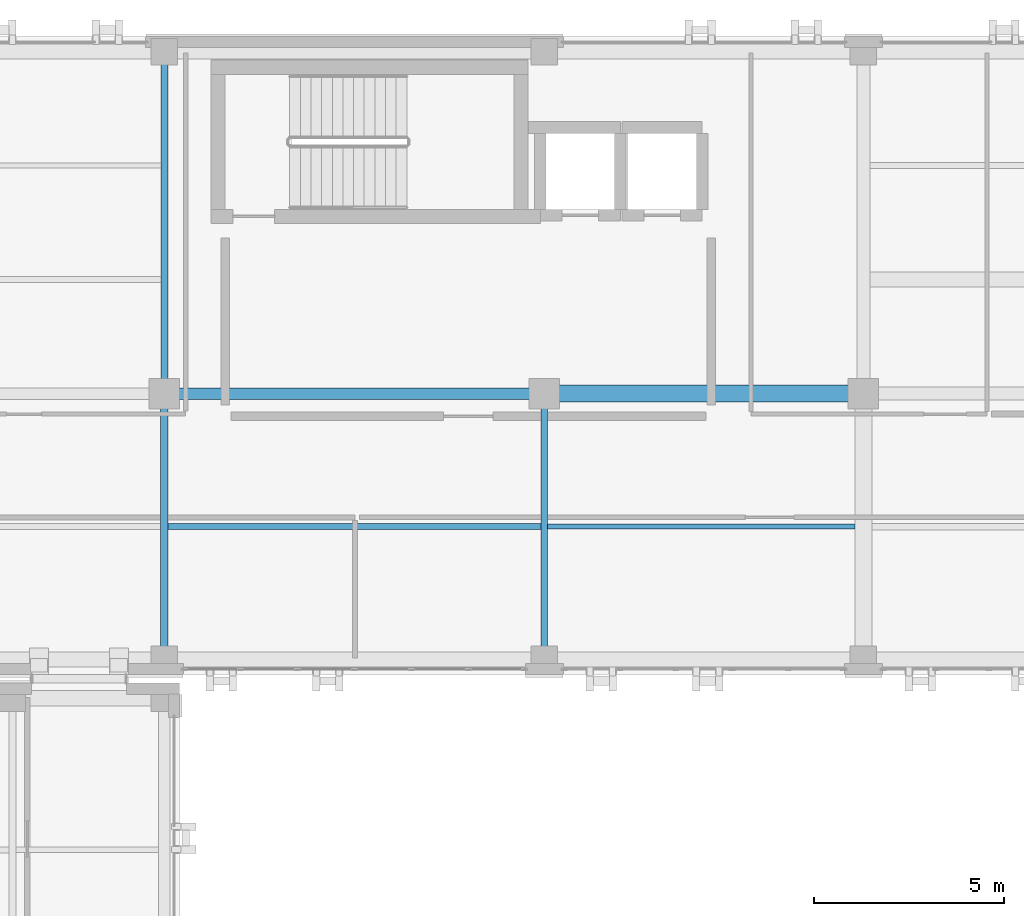
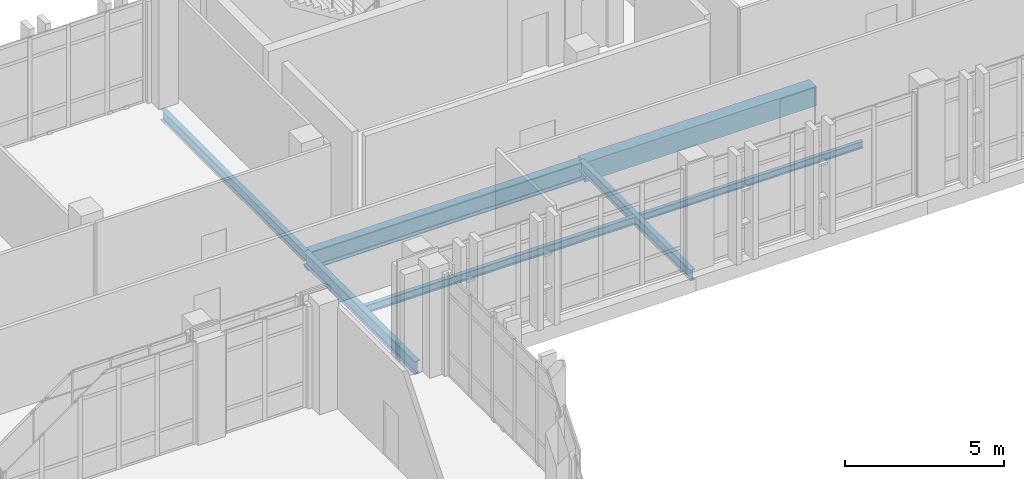
# One storey, part 89 of 165: 7 beams.
"""IFC4 building model written with IfcOpenShell, lengths in metres."""

import ifcopenshell
import ifcopenshell.guid

model = None  # the IFC model being written
_history = None  # IfcOwnerHistory: only IFC2X3 demands one
_inside = {}  # id of a spatial element -> (the spatial element, [elements in it])
_under = {}  # id of a project, library or spatial element -> (it, [spatial elements below it])
_declared = {}  # id of a project -> (the project, [libraries it declares])
_typed = {}  # id of a type object -> (the type object, [elements of that type])
_made_of = {}  # id of a material, layer set ... -> (it, [elements and type objects made of it])


def new_model(schema):
    """Start an empty IFC model of exactly this schema.

    Asked for "IFC4X3", IfcOpenShell would pick the latest addendum, in which some entities
    have other attributes; the version numbers below select the first issue.
    IFC2X3 requires an IfcOwnerHistory on every rooted entity: one is made here for all.
    """
    global model, _history
    if schema == "IFC4X3":
        model = ifcopenshell.file(schema_version=(4, 3, 0, 0))
    else:
        model = ifcopenshell.file(schema=schema)
    _inside.clear()
    _under.clear()
    _declared.clear()
    _typed.clear()
    _made_of.clear()
    _history = None
    if model.schema == "IFC2X3":
        org = make("IfcOrganization", Name="unknown")
        user = make(
            "IfcPersonAndOrganization",
            ThePerson=make("IfcPerson", FamilyName="unknown"),
            TheOrganization=org,
        )
        app = make(
            "IfcApplication",
            ApplicationDeveloper=org,
            Version="unknown",
            ApplicationFullName="unknown",
            ApplicationIdentifier="unknown",
        )
        _history = make(
            "IfcOwnerHistory",
            OwningUser=user,
            OwningApplication=app,
            ChangeAction="ADDED",
            CreationDate=0,
        )
    return model


def make(cls, **values):
    """One entity of the class cls with the attributes given. An attribute that is None is left unset."""
    return model.create_entity(
        cls, **{name: value for name, value in values.items() if value is not None}
    )


def rooted(cls, **values):
    """An entity with a GlobalId (a new one), such as an element, a storey or a relation."""
    return make(cls, GlobalId=ifcopenshell.guid.new(), OwnerHistory=_history, **values)


def si_unit(unit_type, name, prefix=None):
    """IfcSIUnit, for example si_unit("LENGTHUNIT", "METRE", prefix="MILLI")."""
    return make("IfcSIUnit", UnitType=unit_type, Prefix=prefix, Name=name)


def assignment(units):
    """IfcUnitAssignment: the units of a project."""
    return None if units is None else make("IfcUnitAssignment", Units=units)


def point(xyz):
    """IfcCartesianPoint."""
    return None if xyz is None else make("IfcCartesianPoint", Coordinates=xyz)


def direction(xyz):
    """IfcDirection."""
    return None if xyz is None else make("IfcDirection", DirectionRatios=xyz)


def frame(location, z_axis=None, x_axis=None):
    """IfcAxis2Placement3D, a coordinate frame: its origin and axes. An axis left out is left unset."""
    return make(
        "IfcAxis2Placement3D",
        Location=point(location),
        Axis=direction(z_axis),
        RefDirection=direction(x_axis),
    )


def frame_2d(location, x_axis=None):
    """IfcAxis2Placement2D, a coordinate frame in the plane: its origin and x axis."""
    return make(
        "IfcAxis2Placement2D", Location=point(location), RefDirection=direction(x_axis)
    )


def origin():
    """The frame at (0, 0, 0) with its axes left unset."""
    return frame((0.0, 0.0, 0.0))


def origin_2d():
    """The frame at (0, 0) in the plane with its x axis left unset."""
    return frame_2d((0.0, 0.0))


def place(relative_to, where):
    """IfcLocalPlacement: puts the frame where relative to a parent placement (None: the world)."""
    return make(
        "IfcLocalPlacement", PlacementRelTo=relative_to, RelativePlacement=where
    )


def context(
    kind, dimensions, precision=None, world=None, true_north=None, identifier=None
):
    """IfcGeometricRepresentationContext, for example the 3D "Model" context."""
    return make(
        "IfcGeometricRepresentationContext",
        ContextIdentifier=identifier,
        ContextType=kind,
        CoordinateSpaceDimension=dimensions,
        Precision=precision,
        WorldCoordinateSystem=world,
        TrueNorth=true_north,
    )


def subcontext(parent, identifier, kind, view, scale=None):
    """IfcGeometricRepresentationSubContext, for example "Body" below "Model"."""
    return make(
        "IfcGeometricRepresentationSubContext",
        ContextIdentifier=identifier,
        ContextType=kind,
        ParentContext=parent,
        TargetScale=scale,
        TargetView=view,
    )


def project(units=None, contexts=None):
    """IfcProject with its units and contexts."""
    return rooted(
        "IfcProject",
        Name="project",
        RepresentationContexts=contexts,
        UnitsInContext=assignment(units),
    )


def spatial(cls, under=None, at=None, **own):
    """A site, building, storey or space (cls), placed at a placement, below another one or the project."""
    s = rooted(cls, ObjectPlacement=at, **own)
    if under is not None:
        _under.setdefault(under.id(), (under, []))[1].append(s)
    return s


def profile(cls, at=None, kind="AREA", **sizes):
    """A parametric profile (cls). Its sizes go by their IFC names, for example OverallWidth=200.0."""
    return make(cls, ProfileType=kind, Position=at, **sizes)


def rectangle(**sizes):
    """IfcRectangleProfileDef."""
    return profile("IfcRectangleProfileDef", **sizes)


def i_section(**sizes):
    """IfcIShapeProfileDef."""
    return profile("IfcIShapeProfileDef", **sizes)


def extrude(swept, where, along, depth):
    """IfcExtrudedAreaSolid: the profile swept, set in the frame where, extruded along a direction by depth."""
    return make(
        "IfcExtrudedAreaSolid",
        SweptArea=swept,
        Position=where,
        ExtrudedDirection=direction(along),
        Depth=depth,
    )


def shape(context_of_items, identifier, shape_type, items):
    """IfcShapeRepresentation: the items that make up one representation, for example the "Body"."""
    return make(
        "IfcShapeRepresentation",
        ContextOfItems=context_of_items,
        RepresentationIdentifier=identifier,
        RepresentationType=shape_type,
        Items=items,
    )


def material(Name=None, Category=None):
    """IfcMaterial."""
    return make("IfcMaterial", Name=Name, Category=Category)


def material_profile(
    of_material, cross_section, Name=None, Category=None, Priority=None
):
    """IfcMaterialProfile: a cross section and its material."""
    return make(
        "IfcMaterialProfile",
        Name=Name,
        Material=of_material,
        Profile=cross_section,
        Priority=Priority,
        Category=Category,
    )


def profile_set(profiles, Name=None, composite=None):
    """IfcMaterialProfileSet."""
    return make(
        "IfcMaterialProfileSet",
        Name=Name,
        MaterialProfiles=profiles,
        CompositeProfile=composite,
    )


def made_of(thing, what):
    """Note that an element or type object is made of a material, layer set ...; save() writes the relation."""
    if what is not None:
        _made_of.setdefault(what.id(), (what, []))[1].append(thing)
    return thing


def type_object(cls, material=None, **own):
    """A type object (cls), such as IfcWallType, which elements share."""
    return made_of(rooted(cls, **own), material)


def element(
    cls,
    number,
    at=None,
    inside=None,
    cuts=None,
    type_object=None,
    material=None,
    context=None,
    identifier="Body",
    shape_type=None,
    held_by="IfcProductDefinitionShape",
    body=None,
    shapes=None,
    **own,
):
    """One element of the class cls, such as IfcWall. Its Tag is "e" and its number.

    at: its placement. inside: the storey or other place that contains it. cuts: it is an
    opening in that element (IfcRelVoidsElement). A single representation is given by context,
    identifier, shape_type and body (its items); several are given by shapes. held_by: the class
    of the entity that holds the representations. save() writes the other relations.
    """
    e = rooted(cls, Tag="e%d" % number, ObjectPlacement=at, **own)
    if body is not None:
        shapes = [shape(context, identifier, shape_type, body)]
    if shapes is not None:
        e.Representation = make(held_by, Representations=shapes)
    if inside is not None:
        _inside.setdefault(inside.id(), (inside, []))[1].append(e)
    if cuts is not None:
        rooted(
            "IfcRelVoidsElement", RelatingBuildingElement=cuts, RelatedOpeningElement=e
        )
    if type_object is not None:
        _typed.setdefault(type_object.id(), (type_object, []))[1].append(e)
    return made_of(e, material)


def aggregate(whole, parts):
    """IfcRelAggregates: a whole, such as a stair, and the parts it consists of."""
    return rooted("IfcRelAggregates", RelatingObject=whole, RelatedObjects=parts)


def save(model, path):
    """Write the relations noted so far, then the file.

    IfcRelAggregates (storeys below a building ...), IfcRelContainedInSpatialStructure (elements
    in a storey), IfcRelDefinesByType, IfcRelAssociatesMaterial and IfcRelDeclares: one each for
    every whole, place, type object, material and project.
    """
    for whole, parts in _under.values():
        aggregate(whole, parts)
    for where, things in _inside.values():
        rooted(
            "IfcRelContainedInSpatialStructure",
            RelatedElements=things,
            RelatingStructure=where,
        )
    for kind, things in _typed.values():
        rooted("IfcRelDefinesByType", RelatedObjects=things, RelatingType=kind)
    for what, things in _made_of.values():
        rooted("IfcRelAssociatesMaterial", RelatedObjects=things, RelatingMaterial=what)
    for by, libraries in _declared.values():
        rooted("IfcRelDeclares", RelatingContext=by, RelatedDefinitions=libraries)
    model.write(path)


model = new_model("IFC4")

# Units and contexts
model_context = context("Model", 3, precision=1e-05, world=origin(), true_north=direction((0.0, 1.0)))
body_context = subcontext(model_context, "Body", "Model", "MODEL_VIEW")
ifc_project = project(units=[si_unit("LENGTHUNIT", "METRE"), si_unit("AREAUNIT", "SQUARE_METRE"), si_unit("VOLUMEUNIT", "CUBIC_METRE"), si_unit("PLANEANGLEUNIT", "RADIAN"), si_unit("MASSUNIT", "GRAM", prefix="KILO")], contexts=[model_context])

# Site, building, storey
site_placement = place(None, origin())
site = spatial("IfcSite", under=ifc_project, at=site_placement, CompositionType="ELEMENT")
building_placement = place(site_placement, origin())
building = spatial("IfcBuilding", under=site, at=building_placement, Name="Qalavern Law Courts", CompositionType="ELEMENT")
storey_placement = place(building_placement, frame((0.0, 0.0, 14.39990234375)))
storey = spatial("IfcBuildingStorey", under=building, at=storey_placement, Name="L03", CompositionType="ELEMENT", Elevation=14.39990234375)

# Beams
ifc_material_1 = material(Name="Steel S355", Category="steel")
ifc_material_profile_1 = material_profile(ifc_material_1, i_section(OverallWidth=0.300048828125, OverallDepth=0.699951171875, WebThickness=0.01708984375, FlangeThickness=0.031982421875, FilletRadius=0.027099609375, at=origin_2d()), Name="HEB 700")
ifc_profile_set_1 = profile_set([ifc_material_profile_1], Name="Steel S355")
beam_type_1 = type_object("IfcBeamType", Name="STR-BM-HEB700", PredefinedType="BEAM", material=ifc_profile_set_1)
beam_1_placement = place(storey_placement, frame((18.39990234375, 103.60009765625, -0.635009765625), z_axis=(1.0, 0.0, 0.0), x_axis=(0.0, 1.0, 0.0)))
element("IfcBeam", 1, at=beam_1_placement, inside=storey, type_object=beam_type_1, Name="V5 X-beam 2-3 L03", PredefinedType="BEAM", context=body_context, shape_type="SweptSolid", body=[
    extrude(i_section(OverallWidth=0.300048828125, OverallDepth=0.699951171875, WebThickness=0.01708984375, FlangeThickness=0.031982421875, FilletRadius=0.027099609375, at=origin_2d()), origin(), (0.0, 0.0, 1.0), 10.0),
])
ifc_material_profile_2 = material_profile(ifc_material_1, i_section(OverallWidth=0.179931640625, OverallDepth=0.39990234375, WebThickness=0.008544921875, FlangeThickness=0.013427734375, FilletRadius=0.02099609375, at=origin_2d()), Name="IPE 400")
ifc_profile_set_2 = profile_set([ifc_material_profile_2], Name="Steel S355")
beam_type_2 = type_object("IfcBeamType", Name="STR-BM-IPE400", PredefinedType="BEAM", material=ifc_profile_set_2)
beam_2_placement = place(storey_placement, frame((18.39990234375, 103.60009765625, -0.48486328125), z_axis=(0.0, 1.0, 0.0), x_axis=(-1.0, 0.0, 0.0)))
element("IfcBeam", 2, at=beam_2_placement, inside=storey, type_object=beam_type_2, Name="V5 Y-beam 3-2 L03", PredefinedType="BEAM", context=body_context, shape_type="SweptSolid", body=[
    extrude(i_section(OverallWidth=0.179931640625, OverallDepth=0.39990234375, WebThickness=0.008544921875, FlangeThickness=0.013427734375, FilletRadius=0.02099609375, at=origin_2d()), origin(), (0.0, 0.0, 1.0), 9.0),
])
beam_3_placement = place(storey_placement, frame((28.39990234375, 96.60009765625, -0.48486328125), z_axis=(0.0, 1.0, 0.0), x_axis=(-1.0, 0.0, 0.0)))
element("IfcBeam", 3, at=beam_3_placement, inside=storey, type_object=beam_type_2, Name="V5 Y-beam 4-1 L03", PredefinedType="BEAM", context=body_context, shape_type="SweptSolid", body=[
    extrude(i_section(OverallWidth=0.179931640625, OverallDepth=0.39990234375, WebThickness=0.008544921875, FlangeThickness=0.013427734375, FilletRadius=0.02099609375, at=origin_2d()), origin(), (0.0, 0.0, 1.0), 7.0),
])
ifc_material_profile_3 = material_profile(ifc_material_1, i_section(OverallWidth=0.199951171875, OverallDepth=0.5, WebThickness=0.01025390625, FlangeThickness=0.01611328125, FilletRadius=0.02099609375, at=origin_2d()), Name="IPE 500")
ifc_profile_set_3 = profile_set([ifc_material_profile_3], Name="Steel S355")
beam_type_3 = type_object("IfcBeamType", Name="STR-BM-IPE500", PredefinedType="BEAM", material=ifc_profile_set_3)
beam_4_placement = place(storey_placement, frame((18.39990234375, 96.60009765625, -0.534912109375), z_axis=(0.0, 1.0, 0.0), x_axis=(-1.0, 0.0, 0.0)))
element("IfcBeam", 4, at=beam_4_placement, inside=storey, type_object=beam_type_3, Name="V5 Y-beam 3-1 L03", PredefinedType="BEAM", context=body_context, shape_type="SweptSolid", body=[
    extrude(i_section(OverallWidth=0.199951171875, OverallDepth=0.5, WebThickness=0.01025390625, FlangeThickness=0.01611328125, FilletRadius=0.02099609375, at=origin_2d()), origin(), (0.0, 0.0, 1.0), 7.0),
])
ifc_material_2 = material(Name="Concrete C40/50", Category="concrete")
ifc_material_profile_4 = material_profile(ifc_material_2, rectangle(XDim=0.449951171875, YDim=0.75, at=origin_2d()), Name="RC 450x750")
ifc_profile_set_4 = profile_set([ifc_material_profile_4], Name="Concrete C40/50")
beam_type_4 = type_object("IfcBeamType", Name="STR-BM-RC450x750", PredefinedType="BEAM", material=ifc_profile_set_4)
beam_5_placement = place(storey_placement, frame((28.39990234375, 103.60009765625, -0.659912109375), z_axis=(1.0, 0.0, 0.0), x_axis=(0.0, 1.0, 0.0)))
element("IfcBeam", 5, at=beam_5_placement, inside=storey, type_object=beam_type_4, Name="V5 X-beam 2-4 L03", PredefinedType="BEAM", context=body_context, shape_type="SweptSolid", body=[
    extrude(rectangle(XDim=0.449951171875, YDim=0.75, at=origin_2d()), origin(), (0.0, 0.0, 1.0), 8.400146484375),
])
ifc_material_profile_5 = material_profile(ifc_material_1, i_section(OverallWidth=0.135009765625, OverallDepth=0.27001953125, WebThickness=0.006591796875, FlangeThickness=0.01025390625, FilletRadius=0.014892578125, at=origin_2d()), Name="IPE 270")
ifc_profile_set_5 = profile_set([ifc_material_profile_5], Name="Steel S355")
beam_type_5 = type_object("IfcBeamType", Name="STR-JST-IPE270", PredefinedType="JOIST", material=ifc_profile_set_5)
beam_6_placement = place(storey_placement, frame((28.488037109375, 100.10009765625, -0.419921875), z_axis=(1.0, 0.0, 0.0), x_axis=(0.0, 1.0, 0.0)))
element("IfcBeam", 6, at=beam_6_placement, inside=storey, type_object=beam_type_5, Name="V5 secondary joist 4.1.1 L03", PredefinedType="JOIST", context=body_context, shape_type="SweptSolid", body=[
    extrude(i_section(OverallWidth=0.135009765625, OverallDepth=0.27001953125, WebThickness=0.006591796875, FlangeThickness=0.01025390625, FilletRadius=0.014892578125, at=origin_2d()), origin(), (0.0, 0.0, 1.0), 8.0888671875),
])
ifc_material_profile_6 = material_profile(ifc_material_1, i_section(OverallWidth=0.14990234375, OverallDepth=0.300048828125, WebThickness=0.007080078125, FlangeThickness=0.0107421875, FilletRadius=0.014892578125, at=origin_2d()), Name="IPE 300")
ifc_profile_set_6 = profile_set([ifc_material_profile_6], Name="Steel S355")
beam_type_6 = type_object("IfcBeamType", Name="STR-JST-IPE300", PredefinedType="JOIST", material=ifc_profile_set_6)
beam_7_placement = place(storey_placement, frame((18.498046875, 100.10009765625, -0.434814453125), z_axis=(1.0, 0.0, 0.0), x_axis=(0.0, 1.0, 0.0)))
element("IfcBeam", 7, at=beam_7_placement, inside=storey, type_object=beam_type_6, Name="V5 secondary joist 3.1.1 L03", PredefinedType="JOIST", context=body_context, shape_type="SweptSolid", body=[
    extrude(i_section(OverallWidth=0.14990234375, OverallDepth=0.300048828125, WebThickness=0.007080078125, FlangeThickness=0.0107421875, FilletRadius=0.014892578125, at=origin_2d()), origin(), (0.0, 0.0, 1.0), 9.81396484375),
])

save(model, "model.ifc")
